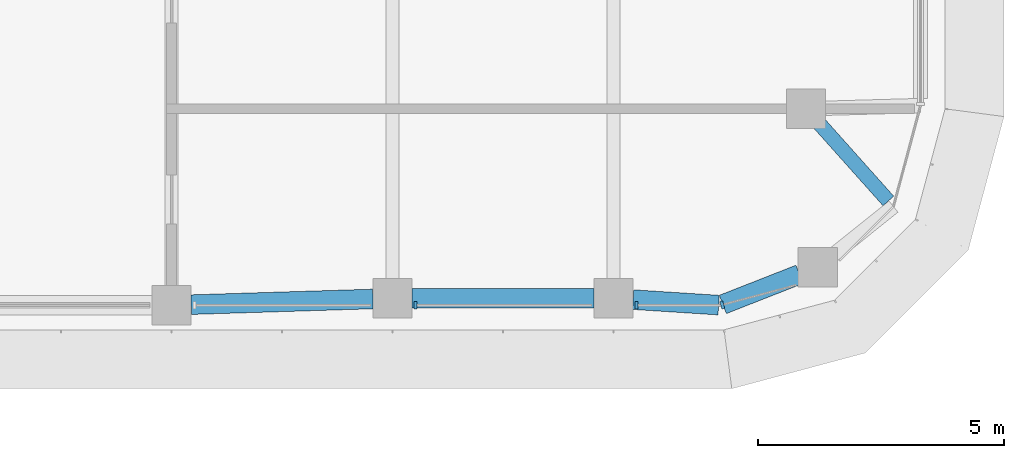
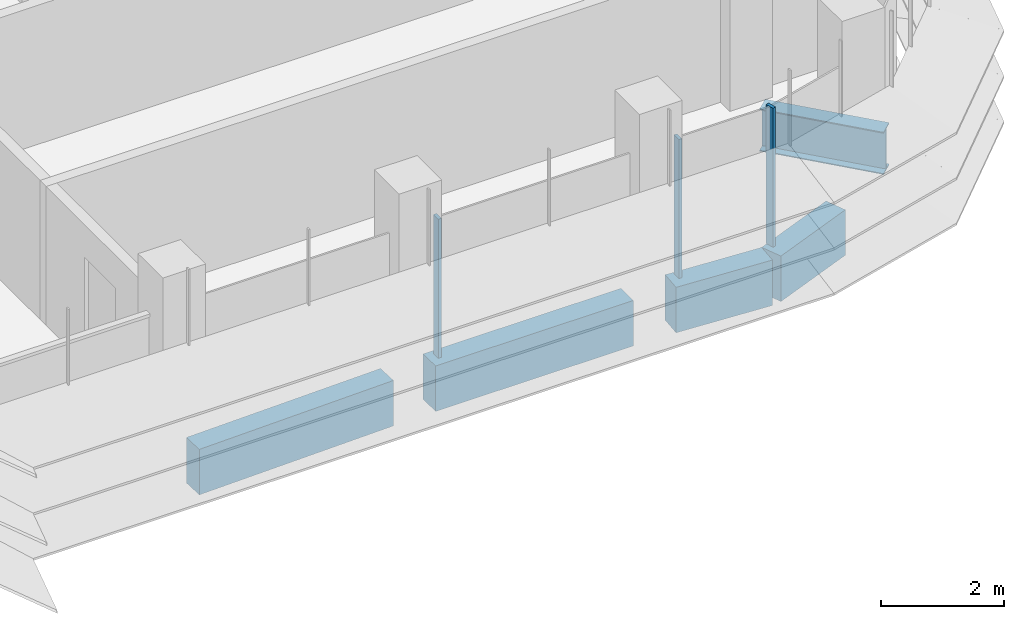
# One storey, part 5 of 19: 5 beams, 3 members, 2 elements without a shape of their own.
"""IFC4 building model written with IfcOpenShell, lengths in metres."""

from ifc_helpers import new_model, si_unit, direction, frame, origin, origin_2d, place, context, subcontext, project, spatial, polyline, rectangle, i_section, outline, extrude, source, transform, mapped, material, material_profile, profile_set, type_object, element, aggregate, save


model = new_model("IFC4")

# Units and contexts
model_context = context("Model", 3, precision=1e-05, world=origin(), true_north=direction((0.0, 1.0)))
body_context = subcontext(model_context, "Body", "Model", "MODEL_VIEW")
ifc_project = project(units=[si_unit("LENGTHUNIT", "METRE"), si_unit("AREAUNIT", "SQUARE_METRE"), si_unit("VOLUMEUNIT", "CUBIC_METRE"), si_unit("PLANEANGLEUNIT", "RADIAN"), si_unit("MASSUNIT", "GRAM", prefix="KILO")], contexts=[model_context])

# Site, building, storey
site_placement = place(None, origin())
site = spatial("IfcSite", under=ifc_project, at=site_placement, CompositionType="ELEMENT")
building_placement = place(site_placement, origin())
building = spatial("IfcBuilding", under=site, at=building_placement, Name="Zarbagh Exchange Tower", CompositionType="ELEMENT")
storey_placement = place(building_placement, frame((0.0, 0.0, 175.199951171875)))
storey = spatial("IfcBuildingStorey", under=building, at=storey_placement, Name="L42", CompositionType="ELEMENT", Elevation=175.199951171875)

# Beams
ifc_material_1 = material(Name="Steel ASTM A992 Gr 50", Category="steel")
ifc_material_profile_1 = material_profile(ifc_material_1, i_section(OverallWidth=0.2919921875, OverallDepth=0.835693359375, WebThickness=0.013916015625, FlangeThickness=0.018798828125, at=origin_2d()), Name="W33X118")
ifc_profile_set_1 = profile_set([ifc_material_profile_1], Name="Steel ASTM A992 Gr 50")
beam_type_1 = type_object("IfcBeamType", Name="Floor girder W33X118", PredefinedType="BEAM", material=ifc_profile_set_1)
beam_1_placement = place(storey_placement, frame((28.9365234375, -2.54833984375, -0.56787109375), z_axis=(0.666238158503, -0.745739040251, 0.0), x_axis=(0.745739040251, 0.666238158503, 0.0)))
element("IfcBeam", 1, at=beam_1_placement, inside=storey, type_object=beam_type_1, Name="Steel girder", PredefinedType="BEAM", context=body_context, shape_type="SweptSolid", body=[
    extrude(i_section(OverallWidth=0.2919921875, OverallDepth=0.835693359375, WebThickness=0.013916015625, FlangeThickness=0.018798828125, at=origin_2d()), origin(), (0.0, 0.0, 1.0), 2.115966796875),
])
ifc_material_2 = material(Name="Concrete C50/60", Category="concrete")
ifc_material_profile_2 = material_profile(ifc_material_2, rectangle(XDim=0.39990234375, YDim=0.89990234375, at=origin_2d()), Name="RC spandrel beam 400 x 900 C50/60")
ifc_profile_set_2 = profile_set([ifc_material_profile_2], Name="Concrete C50/60")
beam_type_2 = type_object("IfcBeamType", Name="RC spandrel beam 400 x 900 C50/60", PredefinedType="SPANDREL", material=ifc_profile_set_2)
beam_2_placement = place(storey_placement, frame((28.53564453125, -5.62109375, -0.599853515625), z_axis=(-0.930818758612, -0.36548110569, 0.0), x_axis=(0.36548110569, -0.930818758612, 0.0)))
element("IfcBeam", 2, at=beam_2_placement, inside=storey, type_object=beam_type_2, Name="RC spandrel beam", PredefinedType="SPANDREL", context=body_context, shape_type="SweptSolid", body=[
    extrude(rectangle(XDim=0.39990234375, YDim=0.89990234375, at=origin_2d()), origin(), (0.0, 0.0, 1.0), 1.676025390625),
])
beam_3_placement = place(storey_placement, frame((26.8896484375, -6.247314453125, -0.599853515625), z_axis=(-0.997942679773, 0.064112462805, 0.0), x_axis=(-0.064112462805, -0.997942679773, 0.0)))
element("IfcBeam", 3, at=beam_3_placement, inside=storey, type_object=beam_type_2, Name="RC spandrel beam", PredefinedType="SPANDREL", context=body_context, shape_type="SweptSolid", body=[
    extrude(rectangle(XDim=0.39990234375, YDim=0.89990234375, at=origin_2d()), origin(), (0.0, 0.0, 1.0), 1.744140625),
])
beam_4_placement = place(storey_placement, frame((24.35009765625, -6.110107421875, -0.599853515625), z_axis=(-1.0, 0.0, 0.0), x_axis=(0.0, -1.0, 0.0)))
element("IfcBeam", 4, at=beam_4_placement, inside=storey, type_object=beam_type_2, Name="RC spandrel beam", PredefinedType="SPANDREL", context=body_context, shape_type="SweptSolid", body=[
    extrude(rectangle(XDim=0.39990234375, YDim=0.89990234375, at=origin_2d()), origin(), (0.0, 0.0, 1.0), 3.7001953125),
])
beam_5_placement = place(storey_placement, frame((19.85009765625, -6.122314453125, -0.599853515625), z_axis=(-0.999515416033, -0.031127690444, 0.0), x_axis=(0.031127690444, -0.999515416033, 0.0)))
element("IfcBeam", 5, at=beam_5_placement, inside=storey, type_object=beam_type_2, Name="RC spandrel beam", PredefinedType="SPANDREL", context=body_context, shape_type="SweptSolid", body=[
    extrude(rectangle(XDim=0.39990234375, YDim=0.89990234375, at=origin_2d()), origin(), (0.0, 0.0, 1.0), 3.701904296875),
])

# Curtain wall, members
ifc_material_3 = material(Name="Anodised aluminium frame and glazing", Category="aluminium")
curtain_wall_type = type_object("IfcCurtainWallType", Name="CWB Ribbon glazing, upper zones", PredefinedType="NOTDEFINED", material=ifc_material_3)
curtain_wall_1_placement = place(storey_placement, origin())
curtain_wall_1 = element("IfcCurtainWall", 6, at=curtain_wall_1_placement, inside=storey, type_object=curtain_wall_type, Name="CWB08 curtain wall", PredefinedType="NOTDEFINED")
ifc_material_4 = material(Name="Anodised aluminium frame", Category="aluminium")
member_type = type_object("IfcMemberType", Name="MUB Mullion, anodised aluminium frame", PredefinedType="MULLION", material=ifc_material_4)
shared_shape = source(origin(), body_context, "Body", "SweptSolid", [
    extrude(outline(polyline([(0.0, -0.080078125), (0.06005859375, -0.080078125), (0.06005859375, 0.080078125), (0.0, 0.080078125), (0.0, -0.080078125)])), origin(), (0.0, 0.0, 1.0), 2.75),
])
placement = place(storey_placement, origin())
member_1 = element("IfcMember", 7, at=placement, type_object=member_type, Name="CWB08 mullion 3.1", PredefinedType="MULLION", context=body_context, shape_type="MappedRepresentation", body=[
    mapped(shared_shape, transform((20.68994140625, -6.25, 0.0), x_axis=(1.0, 0.0, 0.0), y_axis=(0.0, 1.0, 0.0), z_axis=(0.0, 0.0, 1.0))),
])
member_2 = element("IfcMember", 8, at=placement, type_object=member_type, Name="CWB08 mullion 4.1", PredefinedType="MULLION", context=body_context, shape_type="MappedRepresentation", body=[
    mapped(shared_shape, transform((25.18994140625, -6.25, 0.0), x_axis=(1.0, 0.0, 0.0), y_axis=(0.0, 1.0, 0.0), z_axis=(0.0, 0.0, 1.0))),
])
aggregate(curtain_wall_1, [member_1, member_2])

# Curtain wall, member
curtain_wall_2_placement = place(storey_placement, origin())
curtain_wall_2 = element("IfcCurtainWall", 9, at=curtain_wall_2_placement, inside=storey, type_object=curtain_wall_type, Name="CWB09 curtain wall", PredefinedType="NOTDEFINED")
member_3 = element("IfcMember", 10, at=placement, type_object=member_type, Name="CWB09 mullion 1.1", PredefinedType="MULLION", context=body_context, shape_type="MappedRepresentation", body=[
    mapped(shared_shape, transform((26.93408203125, -6.25, 0.0), x_axis=(0.965924289636, 0.258824779902, 0.0), y_axis=(-0.258824779902, 0.965924289636, 0.0), z_axis=(0.0, 0.0, 1.0))),
])
aggregate(curtain_wall_2, [member_3])

save(model, "model.ifc")
